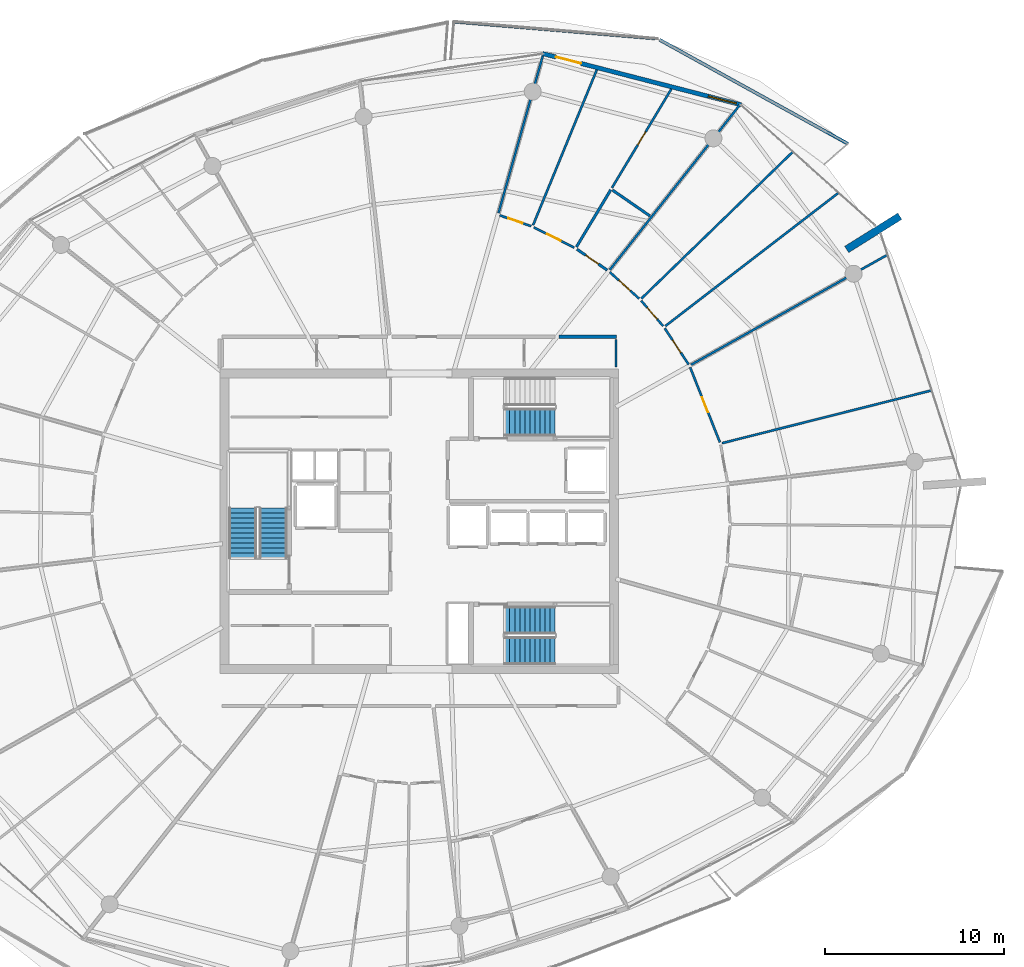
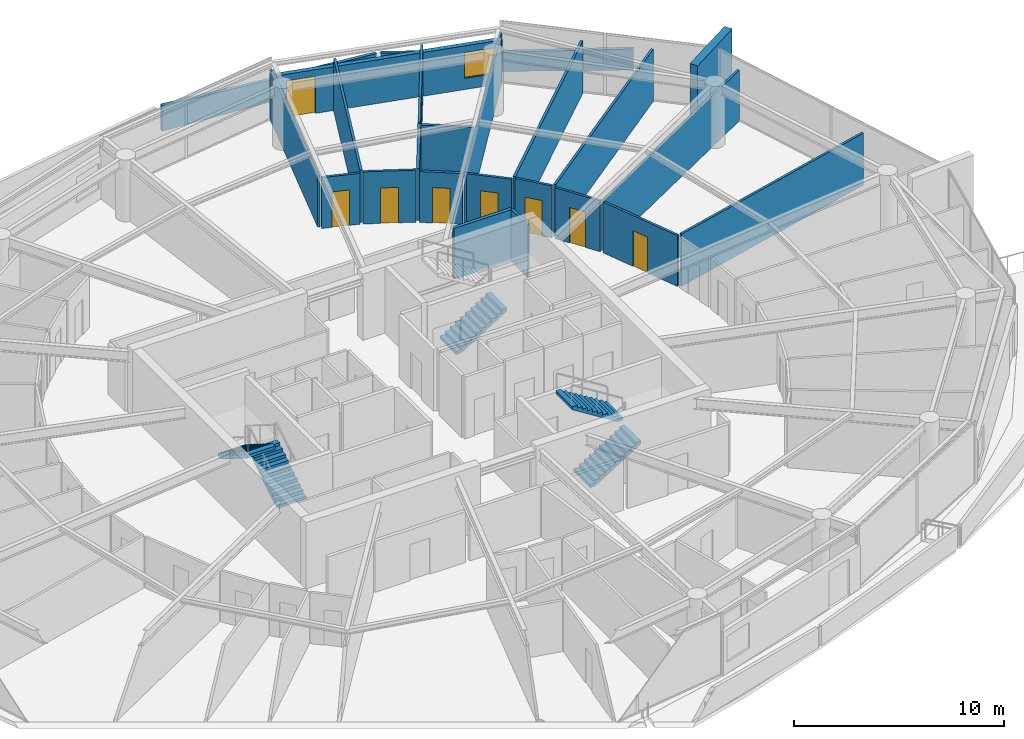
# One storey, part 23 of 31: 23 walls, 9 doors, 5 stair flights, 1 window, 10 openings, 3 elements without a shape of their own.
"""IFC4 building model written with IfcOpenShell, lengths in metres."""

import ifcopenshell
import ifcopenshell.guid

model = None  # the IFC model being written
_history = None  # IfcOwnerHistory: only IFC2X3 demands one
_inside = {}  # id of a spatial element -> (the spatial element, [elements in it])
_under = {}  # id of a project, library or spatial element -> (it, [spatial elements below it])
_declared = {}  # id of a project -> (the project, [libraries it declares])
_typed = {}  # id of a type object -> (the type object, [elements of that type])
_made_of = {}  # id of a material, layer set ... -> (it, [elements and type objects made of it])


def new_model(schema):
    """Start an empty IFC model of exactly this schema.

    Asked for "IFC4X3", IfcOpenShell would pick the latest addendum, in which some entities
    have other attributes; the version numbers below select the first issue.
    IFC2X3 requires an IfcOwnerHistory on every rooted entity: one is made here for all.
    """
    global model, _history
    if schema == "IFC4X3":
        model = ifcopenshell.file(schema_version=(4, 3, 0, 0))
    else:
        model = ifcopenshell.file(schema=schema)
    _inside.clear()
    _under.clear()
    _declared.clear()
    _typed.clear()
    _made_of.clear()
    _history = None
    if model.schema == "IFC2X3":
        org = make("IfcOrganization", Name="unknown")
        user = make(
            "IfcPersonAndOrganization",
            ThePerson=make("IfcPerson", FamilyName="unknown"),
            TheOrganization=org,
        )
        app = make(
            "IfcApplication",
            ApplicationDeveloper=org,
            Version="unknown",
            ApplicationFullName="unknown",
            ApplicationIdentifier="unknown",
        )
        _history = make(
            "IfcOwnerHistory",
            OwningUser=user,
            OwningApplication=app,
            ChangeAction="ADDED",
            CreationDate=0,
        )
    return model


def make(cls, **values):
    """One entity of the class cls with the attributes given. An attribute that is None is left unset."""
    return model.create_entity(
        cls, **{name: value for name, value in values.items() if value is not None}
    )


def rooted(cls, **values):
    """An entity with a GlobalId (a new one), such as an element, a storey or a relation."""
    return make(cls, GlobalId=ifcopenshell.guid.new(), OwnerHistory=_history, **values)


def si_unit(unit_type, name, prefix=None):
    """IfcSIUnit, for example si_unit("LENGTHUNIT", "METRE", prefix="MILLI")."""
    return make("IfcSIUnit", UnitType=unit_type, Prefix=prefix, Name=name)


def assignment(units):
    """IfcUnitAssignment: the units of a project."""
    return None if units is None else make("IfcUnitAssignment", Units=units)


def point(xyz):
    """IfcCartesianPoint."""
    return None if xyz is None else make("IfcCartesianPoint", Coordinates=xyz)


def direction(xyz):
    """IfcDirection."""
    return None if xyz is None else make("IfcDirection", DirectionRatios=xyz)


def frame(location, z_axis=None, x_axis=None):
    """IfcAxis2Placement3D, a coordinate frame: its origin and axes. An axis left out is left unset."""
    return make(
        "IfcAxis2Placement3D",
        Location=point(location),
        Axis=direction(z_axis),
        RefDirection=direction(x_axis),
    )


def frame_2d(location, x_axis=None):
    """IfcAxis2Placement2D, a coordinate frame in the plane: its origin and x axis."""
    return make(
        "IfcAxis2Placement2D", Location=point(location), RefDirection=direction(x_axis)
    )


def origin():
    """The frame at (0, 0, 0) with its axes left unset."""
    return frame((0.0, 0.0, 0.0))


def place(relative_to, where):
    """IfcLocalPlacement: puts the frame where relative to a parent placement (None: the world)."""
    return make(
        "IfcLocalPlacement", PlacementRelTo=relative_to, RelativePlacement=where
    )


def context(
    kind, dimensions, precision=None, world=None, true_north=None, identifier=None
):
    """IfcGeometricRepresentationContext, for example the 3D "Model" context."""
    return make(
        "IfcGeometricRepresentationContext",
        ContextIdentifier=identifier,
        ContextType=kind,
        CoordinateSpaceDimension=dimensions,
        Precision=precision,
        WorldCoordinateSystem=world,
        TrueNorth=true_north,
    )


def subcontext(parent, identifier, kind, view, scale=None):
    """IfcGeometricRepresentationSubContext, for example "Body" below "Model"."""
    return make(
        "IfcGeometricRepresentationSubContext",
        ContextIdentifier=identifier,
        ContextType=kind,
        ParentContext=parent,
        TargetScale=scale,
        TargetView=view,
    )


def project(units=None, contexts=None):
    """IfcProject with its units and contexts."""
    return rooted(
        "IfcProject",
        Name="project",
        RepresentationContexts=contexts,
        UnitsInContext=assignment(units),
    )


def spatial(cls, under=None, at=None, **own):
    """A site, building, storey or space (cls), placed at a placement, below another one or the project."""
    s = rooted(cls, ObjectPlacement=at, **own)
    if under is not None:
        _under.setdefault(under.id(), (under, []))[1].append(s)
    return s


def polyline(points):
    """IfcPolyline through the points."""
    return make("IfcPolyline", Points=[point(p) for p in points])


def profile(cls, at=None, kind="AREA", **sizes):
    """A parametric profile (cls). Its sizes go by their IFC names, for example OverallWidth=200.0."""
    return make(cls, ProfileType=kind, Position=at, **sizes)


def rectangle(**sizes):
    """IfcRectangleProfileDef."""
    return profile("IfcRectangleProfileDef", **sizes)


def outline(outer, holes=None, kind="AREA"):
    """IfcArbitraryClosedProfileDef: a profile drawn as a closed curve; with holes, ...WithVoids."""
    if holes is None:
        return make("IfcArbitraryClosedProfileDef", ProfileType=kind, OuterCurve=outer)
    return make(
        "IfcArbitraryProfileDefWithVoids",
        ProfileType=kind,
        OuterCurve=outer,
        InnerCurves=holes,
    )


def extrude(swept, where, along, depth):
    """IfcExtrudedAreaSolid: the profile swept, set in the frame where, extruded along a direction by depth."""
    return make(
        "IfcExtrudedAreaSolid",
        SweptArea=swept,
        Position=where,
        ExtrudedDirection=direction(along),
        Depth=depth,
    )


def shape(context_of_items, identifier, shape_type, items):
    """IfcShapeRepresentation: the items that make up one representation, for example the "Body"."""
    return make(
        "IfcShapeRepresentation",
        ContextOfItems=context_of_items,
        RepresentationIdentifier=identifier,
        RepresentationType=shape_type,
        Items=items,
    )


def material(Name=None, Category=None):
    """IfcMaterial."""
    return make("IfcMaterial", Name=Name, Category=Category)


def layer(
    of_material, thickness, ventilated=None, Name=None, Category=None, Priority=None
):
    """IfcMaterialLayer: one layer of a wall or slab, of a material (None: an air gap)."""
    return make(
        "IfcMaterialLayer",
        Material=of_material,
        LayerThickness=thickness,
        IsVentilated=ventilated,
        Name=Name,
        Category=Category,
        Priority=Priority,
    )


def layer_set(layers, Name=None):
    """IfcMaterialLayerSet."""
    return make("IfcMaterialLayerSet", MaterialLayers=layers, LayerSetName=Name)


def made_of(thing, what):
    """Note that an element or type object is made of a material, layer set ...; save() writes the relation."""
    if what is not None:
        _made_of.setdefault(what.id(), (what, []))[1].append(thing)
    return thing


def type_object(cls, material=None, **own):
    """A type object (cls), such as IfcWallType, which elements share."""
    return made_of(rooted(cls, **own), material)


def element(
    cls,
    number,
    at=None,
    inside=None,
    cuts=None,
    type_object=None,
    material=None,
    context=None,
    identifier="Body",
    shape_type=None,
    held_by="IfcProductDefinitionShape",
    body=None,
    shapes=None,
    **own,
):
    """One element of the class cls, such as IfcWall. Its Tag is "e" and its number.

    at: its placement. inside: the storey or other place that contains it. cuts: it is an
    opening in that element (IfcRelVoidsElement). A single representation is given by context,
    identifier, shape_type and body (its items); several are given by shapes. held_by: the class
    of the entity that holds the representations. save() writes the other relations.
    """
    e = rooted(cls, Tag="e%d" % number, ObjectPlacement=at, **own)
    if body is not None:
        shapes = [shape(context, identifier, shape_type, body)]
    if shapes is not None:
        e.Representation = make(held_by, Representations=shapes)
    if inside is not None:
        _inside.setdefault(inside.id(), (inside, []))[1].append(e)
    if cuts is not None:
        rooted(
            "IfcRelVoidsElement", RelatingBuildingElement=cuts, RelatedOpeningElement=e
        )
    if type_object is not None:
        _typed.setdefault(type_object.id(), (type_object, []))[1].append(e)
    return made_of(e, material)


def fill(opening, filler):
    """IfcRelFillsElement: the door or window that sits in an opening."""
    return rooted(
        "IfcRelFillsElement",
        RelatingOpeningElement=opening,
        RelatedBuildingElement=filler,
    )


def aggregate(whole, parts):
    """IfcRelAggregates: a whole, such as a stair, and the parts it consists of."""
    return rooted("IfcRelAggregates", RelatingObject=whole, RelatedObjects=parts)


def save(model, path):
    """Write the relations noted so far, then the file.

    IfcRelAggregates (storeys below a building ...), IfcRelContainedInSpatialStructure (elements
    in a storey), IfcRelDefinesByType, IfcRelAssociatesMaterial and IfcRelDeclares: one each for
    every whole, place, type object, material and project.
    """
    for whole, parts in _under.values():
        aggregate(whole, parts)
    for where, things in _inside.values():
        rooted(
            "IfcRelContainedInSpatialStructure",
            RelatedElements=things,
            RelatingStructure=where,
        )
    for kind, things in _typed.values():
        rooted("IfcRelDefinesByType", RelatedObjects=things, RelatingType=kind)
    for what, things in _made_of.values():
        rooted("IfcRelAssociatesMaterial", RelatedObjects=things, RelatingMaterial=what)
    for by, libraries in _declared.values():
        rooted("IfcRelDeclares", RelatingContext=by, RelatedDefinitions=libraries)
    model.write(path)


model = new_model("IFC4")

# Units and contexts
model_context = context("Model", 3, precision=1e-05, world=origin(), true_north=direction((0.0, 1.0)))
body_context = subcontext(model_context, "Body", "Model", "MODEL_VIEW")
ifc_project = project(units=[si_unit("LENGTHUNIT", "METRE"), si_unit("AREAUNIT", "SQUARE_METRE"), si_unit("VOLUMEUNIT", "CUBIC_METRE"), si_unit("PLANEANGLEUNIT", "RADIAN"), si_unit("MASSUNIT", "GRAM", prefix="KILO")], contexts=[model_context])

# Site, building, storey
site_placement = place(None, origin())
site = spatial("IfcSite", under=ifc_project, at=site_placement, CompositionType="ELEMENT")
building_placement = place(site_placement, origin())
building = spatial("IfcBuilding", under=site, at=building_placement, Name="Kazma Halo Residences", CompositionType="ELEMENT")
storey_placement = place(building_placement, frame((0.0, 0.0, 275.199951171875)))
storey = spatial("IfcBuildingStorey", under=building, at=storey_placement, Name="L69", CompositionType="ELEMENT", Elevation=275.199951171875)

# Walls
ifc_material_1 = material(Name="White Concrete C50/60 Balustrade", Category="concrete")
ifc_layer_1 = layer(ifc_material_1, 0.179931640625)
ifc_layer_set_1 = layer_set([ifc_layer_1], Name="White Concrete C50/60 Balustrade")
wall_type_1 = type_object("IfcWallType", Name="WL-BAL-WAVE-180", PredefinedType="PARAPET", material=ifc_layer_set_1)
wall_1_placement = place(storey_placement, frame((72.361083984375, 63.065185546875, 0.0), z_axis=(0.0, 0.0, 1.0), x_axis=(-0.875454216257, 0.483301060663, 0.0)))
element("IfcWall", 1, at=wall_1_placement, inside=storey, type_object=wall_type_1, Name="L69 white wave balustrade wall NE.1", PredefinedType="PARAPET", context=body_context, shape_type="SweptSolid", body=[
    extrude(outline(polyline([(0.0, 0.0), (12.029296875, 0.0), (12.029296875, 1.14794921875), (6.0146484375, 1.126953125), (0.0, 1.22412109375), (0.0, 0.0)])), frame((0.0, 0.08984375, 0.0), z_axis=(0.0, -1.0, 0.0), x_axis=(1.0, 0.0, 0.0)), (0.0, 0.0, 1.0), 0.179931640625),
])
wall_2_placement = place(storey_placement, frame((61.60546875, 68.94677734375, 0.0), z_axis=(0.0, 0.0, 1.0), x_axis=(-0.99651583667, 0.083403760507, 0.0)))
element("IfcWall", 2, at=wall_2_placement, inside=storey, type_object=wall_type_1, Name="L69 white wave balustrade wall NE.2", PredefinedType="PARAPET", context=body_context, shape_type="SweptSolid", body=[
    extrude(outline(polyline([(0.0, 0.0), (11.278564453125, 0.0), (11.2783203125, 1.483154296875), (5.63916015625, 1.283935546875), (0.0, 1.14794921875), (0.0, 0.0)])), frame((0.0, 0.08984375, 0.0), z_axis=(0.0, -1.0, 0.0), x_axis=(1.0, 0.0, 0.0)), (0.0, 0.0, 1.0), 0.179931640625),
])
ifc_material_2 = material(Name="Pale Concrete C60/75", Category="concrete")
ifc_layer_2 = layer(ifc_material_2, 0.419921875)
ifc_layer_set_2 = layer_set([ifc_layer_2], Name="Pale Concrete C60/75")
wall_type_2 = type_object("IfcWallType", Name="WL-BLADE-420", PredefinedType="SOLIDWALL", material=ifc_layer_set_2)
wall_3_placement = place(storey_placement, frame((72.281494140625, 57.172607421875, 0.0), z_axis=(0.0, 0.0, 1.0), x_axis=(0.848033572426, 0.529942506352, 0.0)))
element("IfcWall", 3, at=wall_3_placement, inside=storey, type_object=wall_type_2, Name="L69 pale concrete structural blade fin wall BW-01", PredefinedType="SOLIDWALL", context=body_context, shape_type="SweptSolid", body=[
    extrude(rectangle(XDim=3.5, YDim=0.419921875, at=frame_2d((1.75, 0.0))), origin(), (0.0, 0.0, 1.0), 3.85009765625),
])
ifc_material_3 = material(Name="Acoustic Twin-Stud Gypsum")
ifc_layer_3 = layer(ifc_material_3, 0.179931640625)
ifc_layer_set_3 = layer_set([ifc_layer_3], Name="Acoustic Twin-Stud Gypsum")
wall_type_3 = type_object("IfcWallType", Name="WL-DEM-180", PredefinedType="PARTITIONING", material=ifc_layer_set_3)
wall_4_placement = place(storey_placement, frame((59.429931640625, 52.300048828125, 0.0), z_axis=(0.0, 0.0, 1.0), x_axis=(-1.0, 0.0, 0.0)))
element("IfcWall", 4, at=wall_4_placement, inside=storey, type_object=wall_type_3, Name="L69 Apartment 4 inner wall 0", PredefinedType="PARTITIONING", context=body_context, shape_type="SweptSolid", body=[
    extrude(rectangle(XDim=3.18994140625, YDim=0.179931640625, at=frame_2d((1.594970703125, 0.0))), origin(), (0.0, 0.0, 1.0), 2.95703125),
])

# Wall, openings, door, window
ifc_material_4 = material(Name="Insulated Pale-Metal Composite Wall")
ifc_layer_4 = layer(ifc_material_4, 0.239990234375)
ifc_layer_set_4 = layer_set([ifc_layer_4], Name="Insulated Pale-Metal Composite Wall")
wall_type_4 = type_object("IfcWallType", Name="WL-EXT-HOST-240", PredefinedType="SOLIDWALL", material=ifc_layer_set_4)
wall_5_placement = place(storey_placement, frame((66.386474609375, 65.2490234375, 0.0), z_axis=(0.0, 0.0, 1.0), x_axis=(-0.968343758421, 0.249620442927, 0.0)))
wall_5 = element("IfcWall", 5, at=wall_5_placement, inside=storey, type_object=wall_type_4, Name="L69 exterior terrace-access wall B02", PredefinedType="SOLIDWALL", context=body_context, shape_type="SweptSolid", body=[
    extrude(rectangle(XDim=11.438232421875, YDim=0.239990234375, at=frame_2d((5.71923828125, 0.0))), origin(), (0.0, 0.0, 1.0), 2.5400390625),
])
opening_1_placement = place(wall_5_placement, frame((9.21826171875, 0.0, 0.0)))
opening_1 = element("IfcOpeningElement", 6, at=opening_1_placement, cuts=wall_5, Name="Opening DTR-1600", PredefinedType="OPENING", context=body_context, shape_type="SweptSolid", body=[
    extrude(rectangle(XDim=1.449951171875, YDim=2.14990234375, at=frame_2d((0.72509765625, 1.074951171875))), frame((0.0, 0.1298828125, 0.0), z_axis=(0.0, -1.0, 0.0), x_axis=(1.0, 0.0, 0.0)), (0.0, 0.0, 1.0), 0.260009765625),
])
opening_2_placement = place(wall_5_placement, frame((0.280029296875, 0.0, 0.64990234375)))
opening_2 = element("IfcOpeningElement", 7, at=opening_2_placement, cuts=wall_5, Name="Opening W-1800", PredefinedType="OPENING", context=body_context, shape_type="SweptSolid", body=[
    extrude(rectangle(XDim=1.60009765625, YDim=1.5, at=frame_2d((0.800048828125, 0.75))), frame((0.0, 0.1298828125, 0.0), z_axis=(0.0, -1.0, 0.0), x_axis=(1.0, 0.0, 0.0)), (0.0, 0.0, 1.0), 0.260009765625),
])
ifc_material_5 = material(Name="Aluminium AW-6063 T6 Double-Glazed Terrace Door", Category="aluminium")
door_type_1 = type_object("IfcDoorType", Name="DR-EXT-TERR-1600", OperationType="NOTDEFINED", PredefinedType="DOOR", material=ifc_material_5)
door_1_placement = place(opening_1_placement, origin())
door_1 = element("IfcDoor", 8, at=door_1_placement, inside=storey, type_object=door_type_1, Name="L69 B02 balcony terrace door", OperationType="DOUBLE_DOOR_SLIDING", OverallHeight=2.14990234375, OverallWidth=1.449951171875, PredefinedType="DOOR", context=body_context, shape_type="SweptSolid", body=[
    extrude(rectangle(XDim=1.449951171875, YDim=2.14990234375, at=frame_2d((0.72509765625, 1.074951171875))), frame((0.0, 0.02490234375, 0.0), z_axis=(0.0, -1.0, 0.0), x_axis=(1.0, 0.0, 0.0)), (0.0, 0.0, 1.0), 0.050048828125),
])
fill(opening_1, door_1)
ifc_material_6 = material(Name="Clear Triple-Silver Low-E Glass in Aluminium AW-6063 T6 Frame", Category="aluminium")
window_type = type_object("IfcWindowType", Name="WIN-RES-1800", PartitioningType="DOUBLE_PANEL_VERTICAL", PredefinedType="WINDOW", material=ifc_material_6)
window_placement = place(opening_2_placement, origin())
window = element("IfcWindow", 9, at=window_placement, inside=storey, type_object=window_type, Name="L69 B02 apartment window", OverallHeight=1.5, OverallWidth=1.60009765625, PartitioningType="SINGLE_PANEL", PredefinedType="WINDOW", context=body_context, shape_type="SweptSolid", body=[
    extrude(rectangle(XDim=1.60009765625, YDim=1.5, at=frame_2d((0.800048828125, 0.75))), frame((0.0, 0.030029296875, 0.0), z_axis=(0.0, -1.0, 0.0), x_axis=(1.0, 0.0, 0.0)), (0.0, 0.0, 1.0), 0.06005859375),
])
fill(opening_2, window)

# Walls
ifc_material_7 = material(Name="Gypsum Plasterboard Partition")
ifc_layer_5 = layer(ifc_material_7, 0.125)
ifc_layer_set_5 = layer_set([ifc_layer_5], Name="Gypsum Plasterboard Partition")
wall_type_5 = type_object("IfcWallType", Name="WL-PART-125", PredefinedType="PARTITIONING", material=ifc_layer_set_5)
wall_6_placement = place(storey_placement, frame((59.409912109375, 50.6201171875, 0.0), z_axis=(0.0, 0.0, 1.0), x_axis=(0.0, 1.0, 0.0)))
element("IfcWall", 10, at=wall_6_placement, inside=storey, type_object=wall_type_5, Name="L69 east cupboard end wall", PredefinedType="PARTITIONING", context=body_context, shape_type="SweptSolid", body=[
    extrude(rectangle(XDim=1.539794921875, YDim=0.125, at=frame_2d((0.77001953125, 0.0))), origin(), (0.0, 0.0, 1.0), 3.030029296875),
])
wall_7_placement = place(storey_placement, frame((65.325439453125, 46.361572265625, 0.0), z_axis=(0.0, 0.0, 1.0), x_axis=(0.969744227159, 0.244123194089, 0.0)))
element("IfcWall", 11, at=wall_7_placement, inside=storey, type_object=wall_type_5, Name="L69 Apartment 4 mid-bay wall 15", PredefinedType="PARTITIONING", context=body_context, shape_type="SweptSolid", body=[
    extrude(rectangle(XDim=12.046875, YDim=0.125, at=frame_2d((6.0234375, 0.0))), origin(), (0.0, 0.0, 1.0), 3.030029296875),
])

# Wall, opening, door
wall_8_placement = place(storey_placement, frame((65.20849609375, 46.413818359375, 0.0), z_axis=(0.0, 0.0, 1.0), x_axis=(-0.369574216998, 0.929201215093, 0.0)))
wall_8 = element("IfcWall", 12, at=wall_8_placement, inside=storey, type_object=wall_type_5, Name="L69 Apartment 4 Secondary Formal Dining Room hall wall", PredefinedType="PARTITIONING", context=body_context, shape_type="SweptSolid", body=[
    extrude(rectangle(XDim=4.497314453125, YDim=0.125, at=frame_2d((2.24853515625, 0.0))), origin(), (0.0, 0.0, 1.0), 2.95703125),
])
opening_3_placement = place(wall_8_placement, frame((1.798583984375, 0.0, 0.0)))
opening_3 = element("IfcOpeningElement", 13, at=opening_3_placement, cuts=wall_8, Name="Opening DI-950", PredefinedType="OPENING", context=body_context, shape_type="SweptSolid", body=[
    extrude(rectangle(XDim=0.89990234375, YDim=2.080078125, at=frame_2d((0.449951171875, 1.0400390625))), frame((0.0, 0.072509765625, 0.0), z_axis=(0.0, -1.0, 0.0), x_axis=(1.0, 0.0, 0.0)), (0.0, 0.0, 1.0), 0.14501953125),
])
ifc_material_8 = material(Name="Timber Veneer Flush Leaf", Category="wood")
door_type_2 = type_object("IfcDoorType", Name="DR-INT-950", OperationType="NOTDEFINED", PredefinedType="DOOR", material=ifc_material_8)
door_2_placement = place(opening_3_placement, origin())
door_2 = element("IfcDoor", 14, at=door_2_placement, inside=storey, type_object=door_type_2, Name="L69 Apartment 4 Secondary Formal Dining Room door", OperationType="SINGLE_SWING_RIGHT", OverallHeight=2.080078125, OverallWidth=0.89990234375, PredefinedType="DOOR", context=body_context, shape_type="SweptSolid", body=[
    extrude(rectangle(XDim=0.89990234375, YDim=2.080078125, at=frame_2d((0.449951171875, 1.0400390625))), frame((0.0, 0.02490234375, 0.0), z_axis=(0.0, -1.0, 0.0), x_axis=(1.0, 0.0, 0.0)), (0.0, 0.0, 1.0), 0.050048828125),
])
fill(opening_3, door_2)

# Walls
wall_9_placement = place(storey_placement, frame((63.5966796875, 50.734619140625, 0.0), z_axis=(0.0, 0.0, 1.0), x_axis=(0.872496398583, 0.488620542404, 0.0)))
element("IfcWall", 15, at=wall_9_placement, inside=storey, type_object=wall_type_5, Name="L69 Apartment 4 radial partition 0", PredefinedType="PARTITIONING", context=body_context, shape_type="SweptSolid", body=[
    extrude(rectangle(XDim=12.5537109375, YDim=0.125, at=frame_2d((6.27685546875, 0.0))), origin(), (0.0, 0.0, 1.0), 2.95703125),
])
wall_10_placement = place(storey_placement, frame((62.159912109375, 52.894775390625, 0.0), z_axis=(0.0, 0.0, 1.0), x_axis=(0.792562115574, 0.609791187996, 0.0)))
element("IfcWall", 16, at=wall_10_placement, inside=storey, type_object=wall_type_5, Name="L69 Apartment 4 bay wall 1 0", PredefinedType="PARTITIONING", context=body_context, shape_type="SweptSolid", body=[
    extrude(rectangle(XDim=12.175537109375, YDim=0.125, at=frame_2d((6.087890625, 0.0))), origin(), (0.0, 0.0, 1.0), 3.030029296875),
])
wall_11_placement = place(storey_placement, frame((60.830078125, 54.43310546875, 0.0), z_axis=(0.0, 0.0, 1.0), x_axis=(0.718122665634, 0.69591654464, 0.0)))
element("IfcWall", 17, at=wall_11_placement, inside=storey, type_object=wall_type_5, Name="L69 Apartment 4 bay wall 2 0", PredefinedType="PARTITIONING", context=body_context, shape_type="SweptSolid", body=[
    extrude(rectangle(XDim=11.741943359375, YDim=0.125, at=frame_2d((5.87109375, 0.0))), origin(), (0.0, 0.0, 1.0), 3.030029296875),
])

# Wall, opening, door
wall_12_placement = place(storey_placement, frame((63.46533203125, 50.75244140625, 0.0), z_axis=(0.0, 0.0, 1.0), x_axis=(-0.550620168557, 0.834755910419, 0.0)))
wall_12 = element("IfcWall", 18, at=wall_12_placement, inside=storey, type_object=wall_type_5, Name="L69 Apartment 4 East Master Bedroom hall wall", PredefinedType="PARTITIONING", context=body_context, shape_type="SweptSolid", body=[
    extrude(rectangle(XDim=2.42041015625, YDim=0.125, at=frame_2d((1.210205078125, 0.0))), origin(), (0.0, 0.0, 1.0), 2.95703125),
])
opening_4_placement = place(wall_12_placement, frame((0.78515625, 0.0, 0.0)))
opening_4 = element("IfcOpeningElement", 19, at=opening_4_placement, cuts=wall_12, Name="Opening DB-900", PredefinedType="OPENING", context=body_context, shape_type="SweptSolid", body=[
    extrude(rectangle(XDim=0.85009765625, YDim=2.06005859375, at=frame_2d((0.425048828125, 1.030029296875))), frame((0.0, 0.072509765625, 0.0), z_axis=(0.0, -1.0, 0.0), x_axis=(1.0, 0.0, 0.0)), (0.0, 0.0, 1.0), 0.14501953125),
])
ifc_material_9 = material(Name="Moisture-Sealed Timber Leaf", Category="wood")
door_type_3 = type_object("IfcDoorType", Name="DR-BTH-900", OperationType="NOTDEFINED", PredefinedType="DOOR", material=ifc_material_9)
door_3_placement = place(opening_4_placement, origin())
door_3 = element("IfcDoor", 20, at=door_3_placement, inside=storey, type_object=door_type_3, Name="L69 Apartment 4 East Master Bedroom door", OperationType="SINGLE_SWING_LEFT", OverallHeight=2.06005859375, OverallWidth=0.85009765625, PredefinedType="DOOR", context=body_context, shape_type="SweptSolid", body=[
    extrude(rectangle(XDim=0.85009765625, YDim=2.06005859375, at=frame_2d((0.425048828125, 1.030029296875))), frame((0.0, 0.02490234375, 0.0), z_axis=(0.0, -1.0, 0.0), x_axis=(1.0, 0.0, 0.0)), (0.0, 0.0, 1.0), 0.050048828125),
])
fill(opening_4, door_3)

wall_13_placement = place(storey_placement, frame((62.0361328125, 52.900390625, 0.0), z_axis=(0.0, 0.0, 1.0), x_axis=(-0.653947294886, 0.756540108329, 0.0)))
wall_13 = element("IfcWall", 21, at=wall_13_placement, inside=storey, type_object=wall_type_5, Name="L69 Apartment 4 West Dressing Wardrobe hall wall", PredefinedType="PARTITIONING", context=body_context, shape_type="SweptSolid", body=[
    extrude(rectangle(XDim=1.86328125, YDim=0.125, at=frame_2d((0.931640625, 0.0))), origin(), (0.0, 0.0, 1.0), 3.030029296875),
])
opening_5_placement = place(wall_13_placement, frame((0.506591796875, 0.0, 0.0)))
opening_5 = element("IfcOpeningElement", 22, at=opening_5_placement, cuts=wall_13, Name="Opening DB-900", PredefinedType="OPENING", context=body_context, shape_type="SweptSolid", body=[
    extrude(rectangle(XDim=0.85009765625, YDim=2.06005859375, at=frame_2d((0.425048828125, 1.030029296875))), frame((0.0, 0.072509765625, 0.0), z_axis=(0.0, -1.0, 0.0), x_axis=(1.0, 0.0, 0.0)), (0.0, 0.0, 1.0), 0.14501953125),
])
door_4_placement = place(opening_5_placement, origin())
door_4 = element("IfcDoor", 23, at=door_4_placement, inside=storey, type_object=door_type_3, Name="L69 Apartment 4 West Dressing Wardrobe door", OperationType="SINGLE_SWING_RIGHT", OverallHeight=2.06005859375, OverallWidth=0.85009765625, PredefinedType="DOOR", context=body_context, shape_type="SweptSolid", body=[
    extrude(rectangle(XDim=0.85009765625, YDim=2.06005859375, at=frame_2d((0.425048828125, 1.030029296875))), frame((0.0, 0.02490234375, 0.0), z_axis=(0.0, -1.0, 0.0), x_axis=(1.0, 0.0, 0.0)), (0.0, 0.0, 1.0), 0.050048828125),
])
fill(opening_5, door_4)

wall_14_placement = place(storey_placement, frame((60.7060546875, 54.424072265625, 0.0), z_axis=(0.0, 0.0, 1.0), x_axis=(-0.742228386295, 0.670147015645, 0.0)))
wall_14 = element("IfcWall", 24, at=wall_14_placement, inside=storey, type_object=wall_type_5, Name="L69 Apartment 4 North Master Bedroom hall wall", PredefinedType="PARTITIONING", context=body_context, shape_type="SweptSolid", body=[
    extrude(rectangle(XDim=2.211669921875, YDim=0.125, at=frame_2d((1.10595703125, 0.0))), origin(), (0.0, 0.0, 1.0), 2.95703125),
])
opening_6_placement = place(wall_14_placement, frame((0.680908203125, 0.0, 0.0)))
opening_6 = element("IfcOpeningElement", 25, at=opening_6_placement, cuts=wall_14, Name="Opening DB-900", PredefinedType="OPENING", context=body_context, shape_type="SweptSolid", body=[
    extrude(rectangle(XDim=0.85009765625, YDim=2.06005859375, at=frame_2d((0.425048828125, 1.030029296875))), frame((0.0, 0.072509765625, 0.0), z_axis=(0.0, -1.0, 0.0), x_axis=(1.0, 0.0, 0.0)), (0.0, 0.0, 1.0), 0.14501953125),
])
door_5_placement = place(opening_6_placement, origin())
door_5 = element("IfcDoor", 26, at=door_5_placement, inside=storey, type_object=door_type_3, Name="L69 Apartment 4 North Master Bedroom door", OperationType="SINGLE_SWING_LEFT", OverallHeight=2.06005859375, OverallWidth=0.85009765625, PredefinedType="DOOR", context=body_context, shape_type="SweptSolid", body=[
    extrude(rectangle(XDim=0.85009765625, YDim=2.06005859375, at=frame_2d((0.425048828125, 1.030029296875))), frame((0.0, 0.02490234375, 0.0), z_axis=(0.0, -1.0, 0.0), x_axis=(1.0, 0.0, 0.0)), (0.0, 0.0, 1.0), 0.050048828125),
])
fill(opening_6, door_5)

# Walls
wall_15_placement = place(storey_placement, frame((59.06689453125, 56.038330078125, 0.0), z_axis=(0.0, 0.0, 1.0), x_axis=(0.619097714732, 0.785313962447, 0.0)))
element("IfcWall", 27, at=wall_15_placement, inside=storey, type_object=wall_type_5, Name="L69 Apartment 4 radial partition 1", PredefinedType="PARTITIONING", context=body_context, shape_type="SweptSolid", body=[
    extrude(rectangle(XDim=11.7197265625, YDim=0.125, at=frame_2d((5.85986328125, 0.0))), origin(), (0.0, 0.0, 1.0), 2.95703125),
])
wall_16_placement = place(storey_placement, frame((52.852294921875, 59.204833984375, 0.0), z_axis=(0.0, 0.0, 1.0), x_axis=(0.271437883207, 0.962455960322, 0.0)))
element("IfcWall", 28, at=wall_16_placement, inside=storey, type_object=wall_type_5, Name="L69 Apartment 4 living radial partition 1", PredefinedType="PARTITIONING", context=body_context, shape_type="SweptSolid", body=[
    extrude(rectangle(XDim=9.108642578125, YDim=0.125, at=frame_2d((4.55419921875, 0.0))), origin(), (0.0, 0.0, 1.0), 2.95703125),
])

# Wall, opening, door
wall_17_placement = place(storey_placement, frame((59.186279296875, 60.61328125, 0.0), z_axis=(0.0, 0.0, 1.0), x_axis=(0.515109537537, 0.857124357569, 0.0)))
wall_17 = element("IfcWall", 29, at=wall_17_placement, inside=storey, type_object=wall_type_5, Name="L69 Apartment 4 Inner Walk-In Wardrobe partition wall", PredefinedType="PARTITIONING", context=body_context, shape_type="SweptSolid", body=[
    extrude(rectangle(XDim=6.43310546875, YDim=0.125, at=frame_2d((3.216552734375, 0.0))), origin(), (0.0, 0.0, 1.0), 3.030029296875),
])
opening_7_placement = place(wall_17_placement, frame((2.79150390625, 0.0, 0.0)))
opening_7 = element("IfcOpeningElement", 30, at=opening_7_placement, cuts=wall_17, Name="Opening DB-900", PredefinedType="OPENING", context=body_context, shape_type="SweptSolid", body=[
    extrude(rectangle(XDim=0.85009765625, YDim=2.06005859375, at=frame_2d((0.425048828125, 1.030029296875))), frame((0.0, 0.072509765625, 0.0), z_axis=(0.0, -1.0, 0.0), x_axis=(1.0, 0.0, 0.0)), (0.0, 0.0, 1.0), 0.14501953125),
])
door_6_placement = place(opening_7_placement, origin())
door_6 = element("IfcDoor", 31, at=door_6_placement, inside=storey, type_object=door_type_3, Name="L69 Apartment 4 Inner Walk-In Wardrobe door", OperationType="SINGLE_SWING_RIGHT", OverallHeight=2.06005859375, OverallWidth=0.85009765625, PredefinedType="DOOR", context=body_context, shape_type="SweptSolid", body=[
    extrude(rectangle(XDim=0.85009765625, YDim=2.06005859375, at=frame_2d((0.425048828125, 1.030029296875))), frame((0.0, 0.02490234375, 0.0), z_axis=(0.0, -1.0, 0.0), x_axis=(1.0, 0.0, 0.0)), (0.0, 0.0, 1.0), 0.050048828125),
])
fill(opening_7, door_6)

# Wall
wall_18_placement = place(storey_placement, frame((54.7822265625, 58.52880859375, 0.0), z_axis=(0.0, 0.0, 1.0), x_axis=(0.379598680501, 0.925151253451, 0.0)))
element("IfcWall", 32, at=wall_18_placement, inside=storey, type_object=wall_type_5, Name="L69 Apartment 4 suite divider 1", PredefinedType="PARTITIONING", context=body_context, shape_type="SweptSolid", body=[
    extrude(rectangle(XDim=9.3681640625, YDim=0.125, at=frame_2d((4.68408203125, 0.0))), origin(), (0.0, 0.0, 1.0), 3.030029296875),
])

# Wall, opening, door
wall_19_placement = place(storey_placement, frame((57.076171875, 57.276611328125, 0.0), z_axis=(0.0, 0.0, 1.0), x_axis=(-0.893710536338, 0.448644042909, 0.0)))
wall_19 = element("IfcWall", 33, at=wall_19_placement, inside=storey, type_object=wall_type_5, Name="L69 Apartment 4 Outer Formal Dining Room hall wall", PredefinedType="PARTITIONING", context=body_context, shape_type="SweptSolid", body=[
    extrude(rectangle(XDim=2.52490234375, YDim=0.125, at=frame_2d((1.262451171875, 0.0))), origin(), (0.0, 0.0, 1.0), 3.030029296875),
])
opening_8_placement = place(wall_19_placement, frame((0.837646484375, 0.0, 0.0)))
opening_8 = element("IfcOpeningElement", 34, at=opening_8_placement, cuts=wall_19, Name="Opening DB-900", PredefinedType="OPENING", context=body_context, shape_type="SweptSolid", body=[
    extrude(rectangle(XDim=0.85009765625, YDim=2.06005859375, at=frame_2d((0.425048828125, 1.030029296875))), frame((0.0, 0.072509765625, 0.0), z_axis=(0.0, -1.0, 0.0), x_axis=(1.0, 0.0, 0.0)), (0.0, 0.0, 1.0), 0.14501953125),
])
door_7_placement = place(opening_8_placement, origin())
door_7 = element("IfcDoor", 35, at=door_7_placement, inside=storey, type_object=door_type_3, Name="L69 Apartment 4 Outer Formal Dining Room door", OperationType="SINGLE_SWING_LEFT", OverallHeight=2.06005859375, OverallWidth=0.85009765625, PredefinedType="DOOR", context=body_context, shape_type="SweptSolid", body=[
    extrude(rectangle(XDim=0.85009765625, YDim=2.06005859375, at=frame_2d((0.425048828125, 1.030029296875))), frame((0.0, 0.02490234375, 0.0), z_axis=(0.0, -1.0, 0.0), x_axis=(1.0, 0.0, 0.0)), (0.0, 0.0, 1.0), 0.050048828125),
])
fill(opening_8, door_7)

wall_20_placement = place(storey_placement, frame((54.67236328125, 58.471435546875, 0.0), z_axis=(0.0, 0.0, 1.0), x_axis=(-0.945353388376, 0.326047498206, 0.0)))
wall_20 = element("IfcWall", 36, at=wall_20_placement, inside=storey, type_object=wall_type_5, Name="L69 Apartment 4 Corner Master Bedroom hall wall", PredefinedType="PARTITIONING", context=body_context, shape_type="SweptSolid", body=[
    extrude(rectangle(XDim=1.85400390625, YDim=0.125, at=frame_2d((0.927001953125, 0.0))), origin(), (0.0, 0.0, 1.0), 2.95703125),
])
opening_9_placement = place(wall_20_placement, frame((0.502197265625, 0.0, 0.0)))
opening_9 = element("IfcOpeningElement", 37, at=opening_9_placement, cuts=wall_20, Name="Opening DB-900", PredefinedType="OPENING", context=body_context, shape_type="SweptSolid", body=[
    extrude(rectangle(XDim=0.85009765625, YDim=2.06005859375, at=frame_2d((0.425048828125, 1.030029296875))), frame((0.0, 0.072509765625, 0.0), z_axis=(0.0, -1.0, 0.0), x_axis=(1.0, 0.0, 0.0)), (0.0, 0.0, 1.0), 0.14501953125),
])
door_8_placement = place(opening_9_placement, origin())
door_8 = element("IfcDoor", 38, at=door_8_placement, inside=storey, type_object=door_type_3, Name="L69 Apartment 4 Corner Master Bedroom door", OperationType="SINGLE_SWING_RIGHT", OverallHeight=2.06005859375, OverallWidth=0.85009765625, PredefinedType="DOOR", context=body_context, shape_type="SweptSolid", body=[
    extrude(rectangle(XDim=0.85009765625, YDim=2.06005859375, at=frame_2d((0.425048828125, 1.030029296875))), frame((0.0, 0.02490234375, 0.0), z_axis=(0.0, -1.0, 0.0), x_axis=(1.0, 0.0, 0.0)), (0.0, 0.0, 1.0), 0.050048828125),
])
fill(opening_9, door_8)

ifc_material_10 = material(Name="Moisture-Resistant Gypsum")
ifc_layer_6 = layer(ifc_material_10, 0.14990234375)
ifc_layer_set_6 = layer_set([ifc_layer_6], Name="Moisture-Resistant Gypsum")
wall_type_6 = type_object("IfcWallType", Name="WL-WET-150", PredefinedType="PARTITIONING", material=ifc_layer_set_6)
wall_21_placement = place(storey_placement, frame((58.922607421875, 56.0166015625, 0.0), z_axis=(0.0, 0.0, 1.0), x_axis=(-0.822841380127, 0.568271117646, 0.0)))
wall_21 = element("IfcWall", 39, at=wall_21_placement, inside=storey, type_object=wall_type_6, Name="L69 Apartment 4 South En-Suite Bathroom hall wall", PredefinedType="PARTITIONING", context=body_context, shape_type="SweptSolid", body=[
    extrude(rectangle(XDim=2.05615234375, YDim=0.14990234375, at=frame_2d((1.028076171875, 0.0))), origin(), (0.0, 0.0, 1.0), 2.95703125),
])
opening_10_placement = place(wall_21_placement, frame((0.60302734375, 0.0, 0.0)))
opening_10 = element("IfcOpeningElement", 40, at=opening_10_placement, cuts=wall_21, Name="Opening DB-900", PredefinedType="OPENING", context=body_context, shape_type="SweptSolid", body=[
    extrude(rectangle(XDim=0.85009765625, YDim=2.06005859375, at=frame_2d((0.425048828125, 1.030029296875))), frame((0.0, 0.0849609375, 0.0), z_axis=(0.0, -1.0, 0.0), x_axis=(1.0, 0.0, 0.0)), (0.0, 0.0, 1.0), 0.169921875),
])
door_9_placement = place(opening_10_placement, origin())
door_9 = element("IfcDoor", 41, at=door_9_placement, inside=storey, type_object=door_type_3, Name="L69 Apartment 4 South En-Suite Bathroom door", OperationType="SINGLE_SWING_LEFT", OverallHeight=2.06005859375, OverallWidth=0.85009765625, PredefinedType="DOOR", context=body_context, shape_type="SweptSolid", body=[
    extrude(rectangle(XDim=0.85009765625, YDim=2.06005859375, at=frame_2d((0.425048828125, 1.030029296875))), frame((0.0, 0.02490234375, 0.0), z_axis=(0.0, -1.0, 0.0), x_axis=(1.0, 0.0, 0.0)), (0.0, 0.0, 1.0), 0.050048828125),
])
fill(opening_10, door_9)

# Walls
wall_22_placement = place(storey_placement, frame((61.30615234375, 59.0400390625, 0.0), z_axis=(0.0, 0.0, 1.0), x_axis=(-0.822824212112, 0.56829597567, 0.0)))
element("IfcWall", 42, at=wall_22_placement, inside=storey, type_object=wall_type_6, Name="L69 Apartment 4 South En-Suite Bathroom back wall", PredefinedType="PARTITIONING", context=body_context, shape_type="SweptSolid", body=[
    extrude(rectangle(XDim=2.542724609375, YDim=0.14990234375, at=frame_2d((1.271484375, 0.0))), origin(), (0.0, 0.0, 1.0), 2.95703125),
])
wall_23_placement = place(storey_placement, frame((57.202880859375, 57.313232421875, 0.0), z_axis=(0.0, 0.0, 1.0), x_axis=(0.515122954907, 0.857116293934, 0.0)))
element("IfcWall", 43, at=wall_23_placement, inside=storey, type_object=wall_type_6, Name="L69 Apartment 4 South En-Suite Bathroom side wall", PredefinedType="PARTITIONING", context=body_context, shape_type="SweptSolid", body=[
    extrude(rectangle(XDim=3.719970703125, YDim=0.14990234375, at=frame_2d((1.85986328125, 0.0))), origin(), (0.0, 0.0, 1.0), 3.030029296875),
])

# Stair, stair flights
ifc_material_11 = material(Name="Concrete C50/60", Category="concrete")
stair_type = type_object("IfcStairType", Name="STR-RES2", PredefinedType="HALF_TURN_STAIR", material=ifc_material_11)
stair_1_placement = place(storey_placement, origin())
stair_1 = element("IfcStair", 44, at=stair_1_placement, inside=storey, type_object=stair_type, Name="L69 Core exit stair ST-01", PredefinedType="HALF_TURN_STAIR")
stair_flight_type = type_object("IfcStairFlightType", Name="STR-RES2-FLT", PredefinedType="STRAIGHT", material=ifc_material_11)
stair_flight_1_placement = place(storey_placement, frame((40.27490234375, 39.949951171875, 0.0), z_axis=(0.0, 0.0, 1.0), x_axis=(0.0, 1.0, 0.0)))
stair_flight_1 = element("IfcStairFlight", 45, at=stair_flight_1_placement, type_object=stair_flight_type, Name="ST-01 flight 1", NumberOfRisers=11, NumberOfTreads=10, PredefinedType="STRAIGHT", RiserHeight=0.175, TreadLength=0.28, context=body_context, shape_type="SweptSolid", body=[
    extrude(outline(polyline([(0.0, 0.0), (0.0, 0.175048828125), (0.280029296875, 0.175048828125), (0.280029296875, 0.35009765625), (0.56005859375, 0.35009765625), (0.56005859375, 0.52490234375), (0.840087890625, 0.52490234375), (0.840087890625, 0.699951171875), (1.1201171875, 0.699951171875), (1.1201171875, 0.875), (1.39990234375, 0.875), (1.39990234375, 1.050048828125), (1.679931640625, 1.050048828125), (1.679931640625, 1.22509765625), (1.9599609375, 1.22509765625), (1.9599609375, 1.39990234375), (2.239990234375, 1.39990234375), (2.239990234375, 1.574951171875), (2.52001953125, 1.574951171875), (2.52001953125, 1.75), (2.800048828125, 1.75), (2.800048828125, 1.925048828125), (2.800048828125, 1.5732421875), (0.28271484375, 0.0), (0.0, 0.0)])), frame((0.0, 0.77490234375, 0.0), z_axis=(0.0, -1.0, 0.0), x_axis=(1.0, 0.0, 0.0)), (0.0, 0.0, 1.0), 1.550048828125),
])
stair_flight_2_placement = place(storey_placement, frame((38.574951171875, 42.75, 1.925048828125), z_axis=(0.0, 0.0, 1.0), x_axis=(0.0, -1.0, 0.0)))
stair_flight_2 = element("IfcStairFlight", 46, at=stair_flight_2_placement, type_object=stair_flight_type, Name="ST-01 flight 2", NumberOfRisers=11, NumberOfTreads=10, PredefinedType="STRAIGHT", RiserHeight=0.175, TreadLength=0.28, context=body_context, shape_type="SweptSolid", body=[
    extrude(outline(polyline([(0.0, 0.0), (0.0, 0.175048828125), (0.280029296875, 0.175048828125), (0.280029296875, 0.35009765625), (0.56005859375, 0.35009765625), (0.56005859375, 0.52490234375), (0.840087890625, 0.52490234375), (0.840087890625, 0.699951171875), (1.1201171875, 0.699951171875), (1.1201171875, 0.875), (1.39990234375, 0.875), (1.39990234375, 1.050048828125), (1.679931640625, 1.050048828125), (1.679931640625, 1.22509765625), (1.9599609375, 1.22509765625), (1.9599609375, 1.39990234375), (2.239990234375, 1.39990234375), (2.239990234375, 1.574951171875), (2.52001953125, 1.574951171875), (2.52001953125, 1.75), (2.800048828125, 1.75), (2.800048828125, 1.925048828125), (2.800048828125, 1.5732421875), (0.28271484375, 0.0), (0.0, 0.0)])), frame((0.0, 0.77490234375, 0.0), z_axis=(0.0, -1.0, 0.0), x_axis=(1.0, 0.0, 0.0)), (0.0, 0.0, 1.0), 1.550048828125),
])
aggregate(stair_1, [stair_flight_1, stair_flight_2])

# Stair, stair flight
stair_2_placement = place(storey_placement, origin())
stair_2 = element("IfcStair", 47, at=stair_2_placement, inside=storey, type_object=stair_type, Name="L69 Core exit stair ST-02", PredefinedType="HALF_TURN_STAIR")
stair_flight_3_placement = place(storey_placement, frame((53.199951171875, 47.52490234375, 0.0), z_axis=(0.0, 0.0, 1.0), x_axis=(1.0, 0.0, 0.0)))
stair_flight_3 = element("IfcStairFlight", 48, at=stair_flight_3_placement, type_object=stair_flight_type, Name="ST-02 flight 1", NumberOfRisers=11, NumberOfTreads=10, PredefinedType="STRAIGHT", RiserHeight=0.175, TreadLength=0.28, context=body_context, shape_type="SweptSolid", body=[
    extrude(outline(polyline([(0.0, 0.0), (0.0, 0.175048828125), (0.280029296875, 0.175048828125), (0.280029296875, 0.35009765625), (0.56005859375, 0.35009765625), (0.56005859375, 0.52490234375), (0.840087890625, 0.52490234375), (0.840087890625, 0.699951171875), (1.1201171875, 0.699951171875), (1.1201171875, 0.875), (1.39990234375, 0.875), (1.39990234375, 1.050048828125), (1.679931640625, 1.050048828125), (1.679931640625, 1.22509765625), (1.9599609375, 1.22509765625), (1.9599609375, 1.39990234375), (2.239990234375, 1.39990234375), (2.239990234375, 1.574951171875), (2.52001953125, 1.574951171875), (2.52001953125, 1.75), (2.800048828125, 1.75), (2.800048828125, 1.925048828125), (2.800048828125, 1.5732421875), (0.28271484375, 0.0), (0.0, 0.0)])), frame((0.0, 0.77490234375, 0.0), z_axis=(0.0, -1.0, 0.0), x_axis=(1.0, 0.0, 0.0)), (0.0, 0.0, 1.0), 1.550048828125),
])
aggregate(stair_2, [stair_flight_3])

# Stair, stair flights
stair_3_placement = place(storey_placement, origin())
stair_3 = element("IfcStair", 49, at=stair_3_placement, inside=storey, type_object=stair_type, Name="L69 Core exit stair ST-03", PredefinedType="HALF_TURN_STAIR")
stair_flight_4_placement = place(storey_placement, frame((53.199951171875, 34.77490234375, 0.0), z_axis=(0.0, 0.0, 1.0), x_axis=(1.0, 0.0, 0.0)))
stair_flight_4 = element("IfcStairFlight", 50, at=stair_flight_4_placement, type_object=stair_flight_type, Name="ST-03 flight 1", NumberOfRisers=11, NumberOfTreads=10, PredefinedType="STRAIGHT", RiserHeight=0.175, TreadLength=0.28, context=body_context, shape_type="SweptSolid", body=[
    extrude(outline(polyline([(0.0, 0.0), (0.0, 0.175048828125), (0.280029296875, 0.175048828125), (0.280029296875, 0.35009765625), (0.56005859375, 0.35009765625), (0.56005859375, 0.52490234375), (0.840087890625, 0.52490234375), (0.840087890625, 0.699951171875), (1.1201171875, 0.699951171875), (1.1201171875, 0.875), (1.39990234375, 0.875), (1.39990234375, 1.050048828125), (1.679931640625, 1.050048828125), (1.679931640625, 1.22509765625), (1.9599609375, 1.22509765625), (1.9599609375, 1.39990234375), (2.239990234375, 1.39990234375), (2.239990234375, 1.574951171875), (2.52001953125, 1.574951171875), (2.52001953125, 1.75), (2.800048828125, 1.75), (2.800048828125, 1.925048828125), (2.800048828125, 1.5732421875), (0.28271484375, 0.0), (0.0, 0.0)])), frame((0.0, 0.77490234375, 0.0), z_axis=(0.0, -1.0, 0.0), x_axis=(1.0, 0.0, 0.0)), (0.0, 0.0, 1.0), 1.550048828125),
])
stair_flight_5_placement = place(storey_placement, frame((56.0, 36.47509765625, 1.925048828125), z_axis=(0.0, 0.0, 1.0), x_axis=(-1.0, 0.0, 0.0)))
stair_flight_5 = element("IfcStairFlight", 51, at=stair_flight_5_placement, type_object=stair_flight_type, Name="ST-03 flight 2", NumberOfRisers=11, NumberOfTreads=10, PredefinedType="STRAIGHT", RiserHeight=0.175, TreadLength=0.28, context=body_context, shape_type="SweptSolid", body=[
    extrude(outline(polyline([(0.0, 0.0), (0.0, 0.175048828125), (0.280029296875, 0.175048828125), (0.280029296875, 0.35009765625), (0.56005859375, 0.35009765625), (0.56005859375, 0.52490234375), (0.840087890625, 0.52490234375), (0.840087890625, 0.699951171875), (1.1201171875, 0.699951171875), (1.1201171875, 0.875), (1.39990234375, 0.875), (1.39990234375, 1.050048828125), (1.679931640625, 1.050048828125), (1.679931640625, 1.22509765625), (1.9599609375, 1.22509765625), (1.9599609375, 1.39990234375), (2.239990234375, 1.39990234375), (2.239990234375, 1.574951171875), (2.52001953125, 1.574951171875), (2.52001953125, 1.75), (2.800048828125, 1.75), (2.800048828125, 1.925048828125), (2.800048828125, 1.5732421875), (0.28271484375, 0.0), (0.0, 0.0)])), frame((0.0, 0.77490234375, 0.0), z_axis=(0.0, -1.0, 0.0), x_axis=(1.0, 0.0, 0.0)), (0.0, 0.0, 1.0), 1.550048828125),
])
aggregate(stair_3, [stair_flight_4, stair_flight_5])

save(model, "model.ifc")
